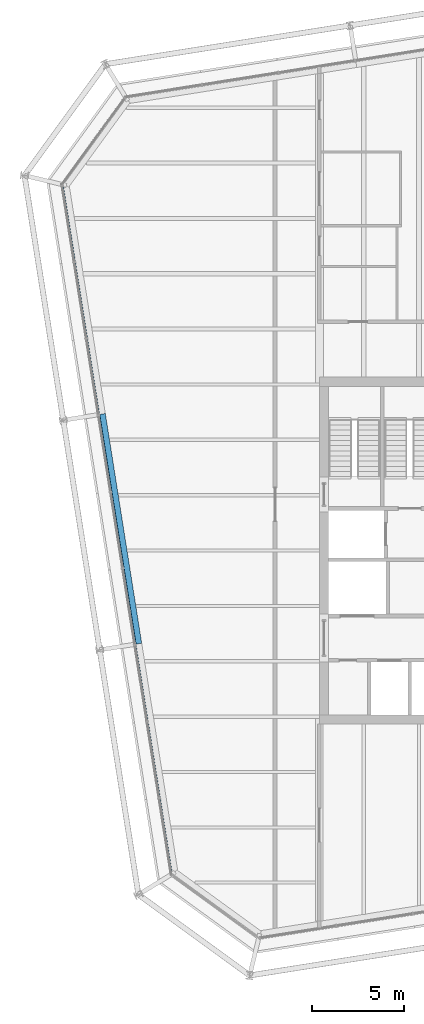
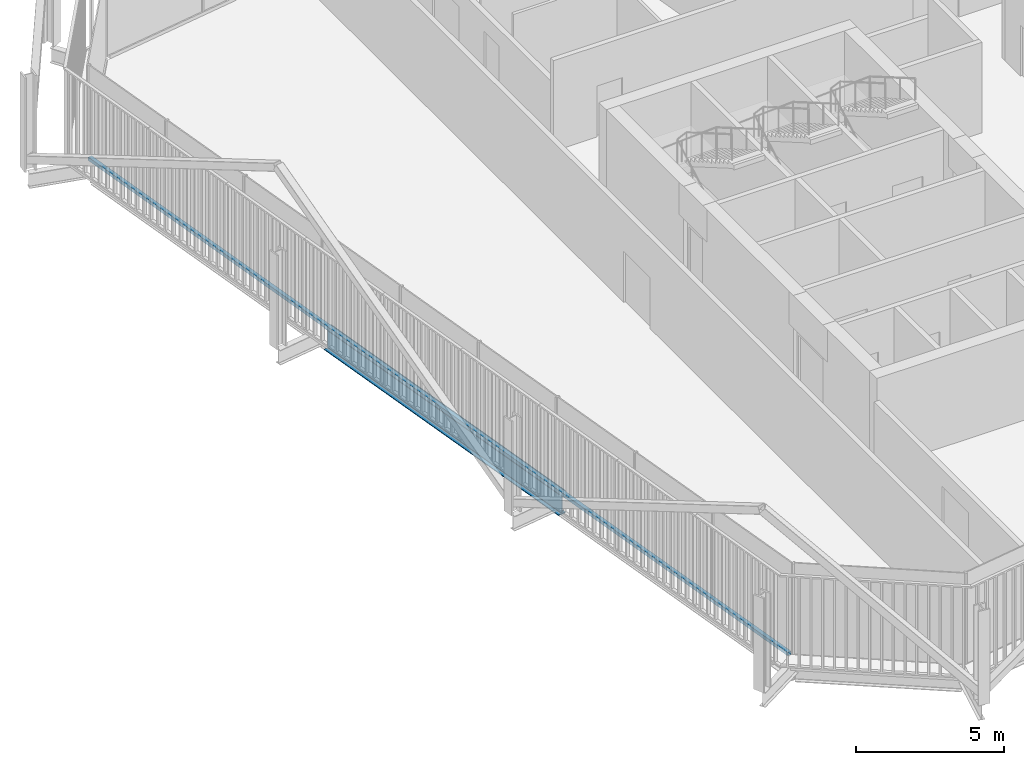
# One storey, part 6 of 21: 1 beam, 1 member, 1 element without a shape of its own.
"""IFC4 building model written with IfcOpenShell, lengths in metres."""

import ifcopenshell
import ifcopenshell.guid

model = None  # the IFC model being written
_history = None  # IfcOwnerHistory: only IFC2X3 demands one
_inside = {}  # id of a spatial element -> (the spatial element, [elements in it])
_under = {}  # id of a project, library or spatial element -> (it, [spatial elements below it])
_declared = {}  # id of a project -> (the project, [libraries it declares])
_typed = {}  # id of a type object -> (the type object, [elements of that type])
_made_of = {}  # id of a material, layer set ... -> (it, [elements and type objects made of it])


def new_model(schema):
    """Start an empty IFC model of exactly this schema.

    Asked for "IFC4X3", IfcOpenShell would pick the latest addendum, in which some entities
    have other attributes; the version numbers below select the first issue.
    IFC2X3 requires an IfcOwnerHistory on every rooted entity: one is made here for all.
    """
    global model, _history
    if schema == "IFC4X3":
        model = ifcopenshell.file(schema_version=(4, 3, 0, 0))
    else:
        model = ifcopenshell.file(schema=schema)
    _inside.clear()
    _under.clear()
    _declared.clear()
    _typed.clear()
    _made_of.clear()
    _history = None
    if model.schema == "IFC2X3":
        org = make("IfcOrganization", Name="unknown")
        user = make(
            "IfcPersonAndOrganization",
            ThePerson=make("IfcPerson", FamilyName="unknown"),
            TheOrganization=org,
        )
        app = make(
            "IfcApplication",
            ApplicationDeveloper=org,
            Version="unknown",
            ApplicationFullName="unknown",
            ApplicationIdentifier="unknown",
        )
        _history = make(
            "IfcOwnerHistory",
            OwningUser=user,
            OwningApplication=app,
            ChangeAction="ADDED",
            CreationDate=0,
        )
    return model


def make(cls, **values):
    """One entity of the class cls with the attributes given. An attribute that is None is left unset."""
    return model.create_entity(
        cls, **{name: value for name, value in values.items() if value is not None}
    )


def rooted(cls, **values):
    """An entity with a GlobalId (a new one), such as an element, a storey or a relation."""
    return make(cls, GlobalId=ifcopenshell.guid.new(), OwnerHistory=_history, **values)


def si_unit(unit_type, name, prefix=None):
    """IfcSIUnit, for example si_unit("LENGTHUNIT", "METRE", prefix="MILLI")."""
    return make("IfcSIUnit", UnitType=unit_type, Prefix=prefix, Name=name)


def assignment(units):
    """IfcUnitAssignment: the units of a project."""
    return None if units is None else make("IfcUnitAssignment", Units=units)


def point(xyz):
    """IfcCartesianPoint."""
    return None if xyz is None else make("IfcCartesianPoint", Coordinates=xyz)


def direction(xyz):
    """IfcDirection."""
    return None if xyz is None else make("IfcDirection", DirectionRatios=xyz)


def frame(location, z_axis=None, x_axis=None):
    """IfcAxis2Placement3D, a coordinate frame: its origin and axes. An axis left out is left unset."""
    return make(
        "IfcAxis2Placement3D",
        Location=point(location),
        Axis=direction(z_axis),
        RefDirection=direction(x_axis),
    )


def frame_2d(location, x_axis=None):
    """IfcAxis2Placement2D, a coordinate frame in the plane: its origin and x axis."""
    return make(
        "IfcAxis2Placement2D", Location=point(location), RefDirection=direction(x_axis)
    )


def origin():
    """The frame at (0, 0, 0) with its axes left unset."""
    return frame((0.0, 0.0, 0.0))


def origin_2d():
    """The frame at (0, 0) in the plane with its x axis left unset."""
    return frame_2d((0.0, 0.0))


def place(relative_to, where):
    """IfcLocalPlacement: puts the frame where relative to a parent placement (None: the world)."""
    return make(
        "IfcLocalPlacement", PlacementRelTo=relative_to, RelativePlacement=where
    )


def context(
    kind, dimensions, precision=None, world=None, true_north=None, identifier=None
):
    """IfcGeometricRepresentationContext, for example the 3D "Model" context."""
    return make(
        "IfcGeometricRepresentationContext",
        ContextIdentifier=identifier,
        ContextType=kind,
        CoordinateSpaceDimension=dimensions,
        Precision=precision,
        WorldCoordinateSystem=world,
        TrueNorth=true_north,
    )


def subcontext(parent, identifier, kind, view, scale=None):
    """IfcGeometricRepresentationSubContext, for example "Body" below "Model"."""
    return make(
        "IfcGeometricRepresentationSubContext",
        ContextIdentifier=identifier,
        ContextType=kind,
        ParentContext=parent,
        TargetScale=scale,
        TargetView=view,
    )


def project(units=None, contexts=None):
    """IfcProject with its units and contexts."""
    return rooted(
        "IfcProject",
        Name="project",
        RepresentationContexts=contexts,
        UnitsInContext=assignment(units),
    )


def spatial(cls, under=None, at=None, **own):
    """A site, building, storey or space (cls), placed at a placement, below another one or the project."""
    s = rooted(cls, ObjectPlacement=at, **own)
    if under is not None:
        _under.setdefault(under.id(), (under, []))[1].append(s)
    return s


def profile(cls, at=None, kind="AREA", **sizes):
    """A parametric profile (cls). Its sizes go by their IFC names, for example OverallWidth=200.0."""
    return make(cls, ProfileType=kind, Position=at, **sizes)


def rectangle(**sizes):
    """IfcRectangleProfileDef."""
    return profile("IfcRectangleProfileDef", **sizes)


def i_section(**sizes):
    """IfcIShapeProfileDef."""
    return profile("IfcIShapeProfileDef", **sizes)


def extrude(swept, where, along, depth):
    """IfcExtrudedAreaSolid: the profile swept, set in the frame where, extruded along a direction by depth."""
    return make(
        "IfcExtrudedAreaSolid",
        SweptArea=swept,
        Position=where,
        ExtrudedDirection=direction(along),
        Depth=depth,
    )


def shape(context_of_items, identifier, shape_type, items):
    """IfcShapeRepresentation: the items that make up one representation, for example the "Body"."""
    return make(
        "IfcShapeRepresentation",
        ContextOfItems=context_of_items,
        RepresentationIdentifier=identifier,
        RepresentationType=shape_type,
        Items=items,
    )


def material(Name=None, Category=None):
    """IfcMaterial."""
    return make("IfcMaterial", Name=Name, Category=Category)


def layer(
    of_material, thickness, ventilated=None, Name=None, Category=None, Priority=None
):
    """IfcMaterialLayer: one layer of a wall or slab, of a material (None: an air gap)."""
    return make(
        "IfcMaterialLayer",
        Material=of_material,
        LayerThickness=thickness,
        IsVentilated=ventilated,
        Name=Name,
        Category=Category,
        Priority=Priority,
    )


def layer_set(layers, Name=None):
    """IfcMaterialLayerSet."""
    return make("IfcMaterialLayerSet", MaterialLayers=layers, LayerSetName=Name)


def material_profile(
    of_material, cross_section, Name=None, Category=None, Priority=None
):
    """IfcMaterialProfile: a cross section and its material."""
    return make(
        "IfcMaterialProfile",
        Name=Name,
        Material=of_material,
        Profile=cross_section,
        Priority=Priority,
        Category=Category,
    )


def profile_set(profiles, Name=None, composite=None):
    """IfcMaterialProfileSet."""
    return make(
        "IfcMaterialProfileSet",
        Name=Name,
        MaterialProfiles=profiles,
        CompositeProfile=composite,
    )


def made_of(thing, what):
    """Note that an element or type object is made of a material, layer set ...; save() writes the relation."""
    if what is not None:
        _made_of.setdefault(what.id(), (what, []))[1].append(thing)
    return thing


def type_object(cls, material=None, **own):
    """A type object (cls), such as IfcWallType, which elements share."""
    return made_of(rooted(cls, **own), material)


def element(
    cls,
    number,
    at=None,
    inside=None,
    cuts=None,
    type_object=None,
    material=None,
    context=None,
    identifier="Body",
    shape_type=None,
    held_by="IfcProductDefinitionShape",
    body=None,
    shapes=None,
    **own,
):
    """One element of the class cls, such as IfcWall. Its Tag is "e" and its number.

    at: its placement. inside: the storey or other place that contains it. cuts: it is an
    opening in that element (IfcRelVoidsElement). A single representation is given by context,
    identifier, shape_type and body (its items); several are given by shapes. held_by: the class
    of the entity that holds the representations. save() writes the other relations.
    """
    e = rooted(cls, Tag="e%d" % number, ObjectPlacement=at, **own)
    if body is not None:
        shapes = [shape(context, identifier, shape_type, body)]
    if shapes is not None:
        e.Representation = make(held_by, Representations=shapes)
    if inside is not None:
        _inside.setdefault(inside.id(), (inside, []))[1].append(e)
    if cuts is not None:
        rooted(
            "IfcRelVoidsElement", RelatingBuildingElement=cuts, RelatedOpeningElement=e
        )
    if type_object is not None:
        _typed.setdefault(type_object.id(), (type_object, []))[1].append(e)
    return made_of(e, material)


def aggregate(whole, parts):
    """IfcRelAggregates: a whole, such as a stair, and the parts it consists of."""
    return rooted("IfcRelAggregates", RelatingObject=whole, RelatedObjects=parts)


def save(model, path):
    """Write the relations noted so far, then the file.

    IfcRelAggregates (storeys below a building ...), IfcRelContainedInSpatialStructure (elements
    in a storey), IfcRelDefinesByType, IfcRelAssociatesMaterial and IfcRelDeclares: one each for
    every whole, place, type object, material and project.
    """
    for whole, parts in _under.values():
        aggregate(whole, parts)
    for where, things in _inside.values():
        rooted(
            "IfcRelContainedInSpatialStructure",
            RelatedElements=things,
            RelatingStructure=where,
        )
    for kind, things in _typed.values():
        rooted("IfcRelDefinesByType", RelatedObjects=things, RelatingType=kind)
    for what, things in _made_of.values():
        rooted("IfcRelAssociatesMaterial", RelatedObjects=things, RelatingMaterial=what)
    for by, libraries in _declared.values():
        rooted("IfcRelDeclares", RelatingContext=by, RelatedDefinitions=libraries)
    model.write(path)


model = new_model("IFC4")

# Units and contexts
model_context = context("Model", 3, precision=1e-05, world=origin(), true_north=direction((0.0, 1.0)))
body_context = subcontext(model_context, "Body", "Model", "MODEL_VIEW")
ifc_project = project(units=[si_unit("LENGTHUNIT", "METRE"), si_unit("AREAUNIT", "SQUARE_METRE"), si_unit("VOLUMEUNIT", "CUBIC_METRE"), si_unit("PLANEANGLEUNIT", "RADIAN"), si_unit("MASSUNIT", "GRAM", prefix="KILO")], contexts=[model_context])

# Site, building, storey
site_placement = place(None, origin())
site = spatial("IfcSite", under=ifc_project, at=site_placement, CompositionType="ELEMENT")
building_placement = place(site_placement, origin())
building = spatial("IfcBuilding", under=site, at=building_placement, Name="Millrace Tower", CompositionType="ELEMENT")
storey_placement = place(building_placement, frame((0.0, 0.0, 228.10009765625)))
storey = spatial("IfcBuildingStorey", under=building, at=storey_placement, Name="L52", CompositionType="ELEMENT", Elevation=228.10009765625)

# Curtain wall, member
ifc_material_1 = material(Name="Aluminium and glass", Category="aluminium")
ifc_layer = layer(ifc_material_1, 0.14990234375)
ifc_layer_set = layer_set([ifc_layer], Name="Aluminium and glass")
curtain_wall_type = type_object("IfcCurtainWallType", Name="CW-1 office vision curtain wall", PredefinedType="NOTDEFINED", material=ifc_layer_set)
curtain_wall_placement = place(storey_placement, origin())
curtain_wall = element("IfcCurtainWall", 1, at=curtain_wall_placement, inside=storey, type_object=curtain_wall_type, Name="Curtain wall D-F08 L52", PredefinedType="NOTDEFINED")
ifc_material_2 = material(Name="Aluminium", Category="aluminium")
ifc_material_profile_1 = material_profile(ifc_material_2, rectangle(XDim=0.14990234375, YDim=0.139892578125, at=origin_2d()))
ifc_profile_set_1 = profile_set([ifc_material_profile_1], Name="Aluminium")
member_type = type_object("IfcMemberType", Name="CW-1 office vision curtain wall transom", PredefinedType="USERDEFINED", material=ifc_profile_set_1)
member_placement = place(storey_placement, frame((-28.331787109375, 19.708740234375, 0.06982421875), z_axis=(0.156432359726, -0.987688674042, 0.0), x_axis=(0.987688674042, 0.156432359726, 0.0)))
member = element("IfcMember", 2, at=member_placement, type_object=member_type, Name="CW1 transom D-F08.1", ObjectType="TRANSOM", PredefinedType="USERDEFINED", context=body_context, shape_type="SweptSolid", body=[
    extrude(rectangle(XDim=0.14990234375, YDim=0.139892578125, at=origin_2d()), origin(), (0.0, 0.0, 1.0), 37.599853515625),
])
aggregate(curtain_wall, [member])

# Beam
ifc_material_3 = material(Name="Steel ASTM A992 Grade 50", Category="steel")
ifc_material_profile_2 = material_profile(ifc_material_3, i_section(OverallWidth=0.307373046875, OverallDepth=0.927001953125, WebThickness=0.01953125, FlangeThickness=0.031982421875, FilletRadius=0.01904296875, at=origin_2d()))
ifc_profile_set_2 = profile_set([ifc_material_profile_2], Name="Steel ASTM A992 Grade 50")
beam_type = type_object("IfcBeamType", Name="Ring beam medium span W36x194", PredefinedType="SPANDREL", material=ifc_profile_set_2)
beam_placement = place(storey_placement, frame((-24.179443359375, -5.04638671875, -0.62353515625), z_axis=(-0.1564441342, 0.987686809102, 0.0), x_axis=(-0.987686809102, -0.1564441342, 0.0)))
element("IfcBeam", 3, at=beam_placement, inside=storey, type_object=beam_type, Name="RNG-D-L52-S1-02", PredefinedType="SPANDREL", context=body_context, shape_type="SweptSolid", body=[
    extrude(i_section(OverallWidth=0.307373046875, OverallDepth=0.927001953125, WebThickness=0.01953125, FlangeThickness=0.031982421875, FilletRadius=0.01904296875, at=origin_2d()), origin(), (0.0, 0.0, 1.0), 12.599853515625),
])

save(model, "model.ifc")
